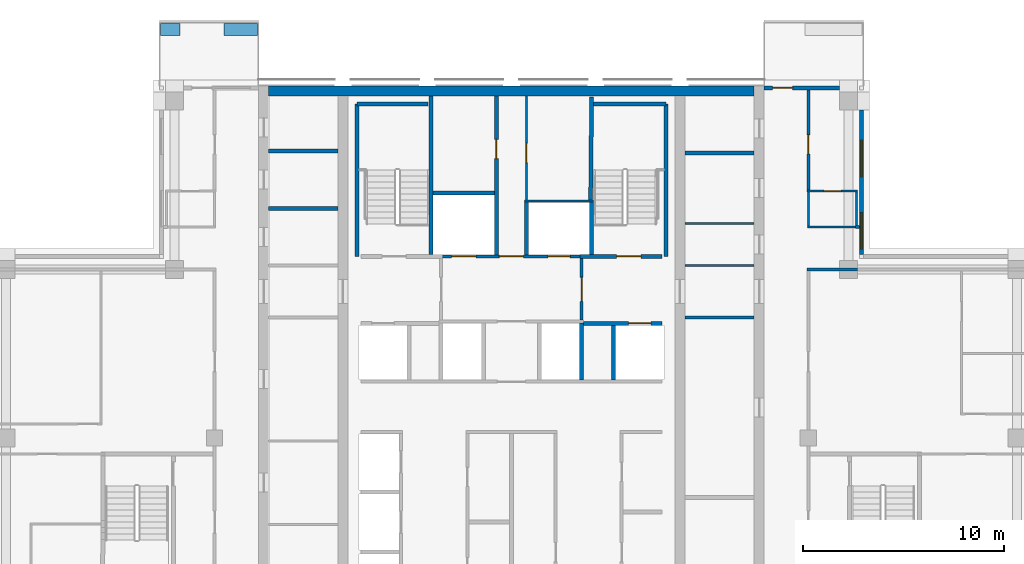
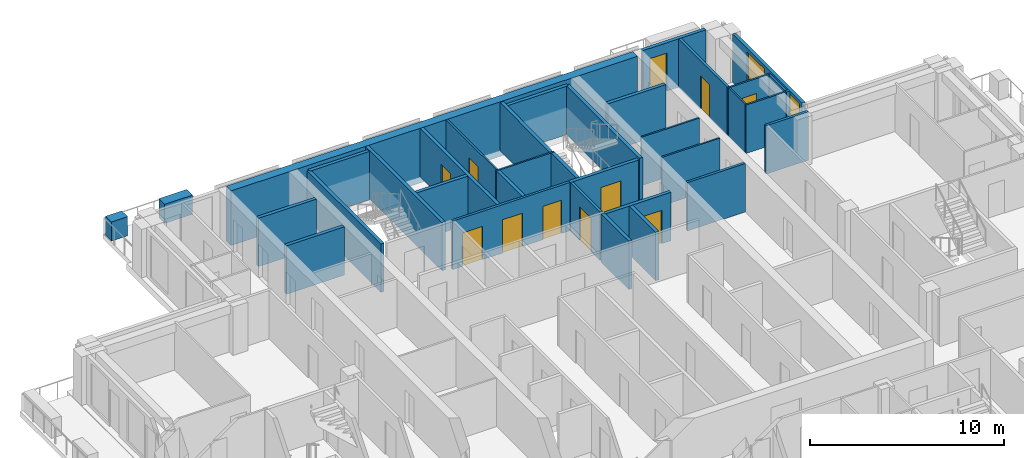
# One storey, part 11 of 15: 36 walls, 11 doors, 2 windows, 13 openings.
"""IFC4 building model written with IfcOpenShell, lengths in metres."""

from ifc_helpers import new_model, si_unit, direction, frame, frame_2d, origin, place, context, subcontext, project, spatial, rectangle, extrude, material, layer, layer_set, type_object, element, fill, save


model = new_model("IFC4")

# Units and contexts
model_context = context("Model", 3, precision=1e-05, world=origin(), true_north=direction((0.0, 1.0)))
body_context = subcontext(model_context, "Body", "Model", "MODEL_VIEW")
ifc_project = project(units=[si_unit("LENGTHUNIT", "METRE"), si_unit("AREAUNIT", "SQUARE_METRE"), si_unit("VOLUMEUNIT", "CUBIC_METRE"), si_unit("PLANEANGLEUNIT", "RADIAN"), si_unit("MASSUNIT", "GRAM", prefix="KILO")], contexts=[model_context])

# Site, building, storey
site_placement = place(None, origin())
site = spatial("IfcSite", under=ifc_project, at=site_placement, CompositionType="ELEMENT")
building_placement = place(site_placement, origin())
building = spatial("IfcBuilding", under=site, at=building_placement, Name="Vermilion Ogive Tower", CompositionType="ELEMENT")
storey_placement = place(building_placement, frame((0.0, 0.0, 237.25)))
storey = spatial("IfcBuildingStorey", under=building, at=storey_placement, Name="L62", CompositionType="ELEMENT", Elevation=237.25)

# Walls
ifc_material_1 = material(Name="Concrete B60", Category="concrete")
ifc_layer_1 = layer(ifc_material_1, 0.5)
ifc_layer_set_1 = layer_set([ifc_layer_1], Name="Core wall 500 B60")
wall_type_1 = type_object("IfcWallType", Name="Core wall 500 B60", PredefinedType="SHEAR", material=ifc_layer_set_1)
wall_1_placement = place(storey_placement, frame((-12.10009765625, 21.5, -0.39990234375), z_axis=(0.0, 0.0, 1.0), x_axis=(1.0, 0.0, 0.0)))
element("IfcWall", 1, at=wall_1_placement, inside=storey, type_object=wall_type_1, Name="L62-CORE-N", PredefinedType="SHEAR", context=body_context, shape_type="SweptSolid", body=[
    extrude(rectangle(XDim=24.2001953125, YDim=0.5, at=frame_2d((12.10009765625, 0.0))), origin(), (0.0, 0.0, 1.0), 3.449951171875),
])
ifc_material_2 = material(Name="Gypsum board partition on steel studs", Category="steel")
ifc_layer_2 = layer(ifc_material_2, 0.10009765625)
ifc_layer_set_2 = layer_set([ifc_layer_2], Name="Partition 100 bath")
wall_type_2 = type_object("IfcWallType", Name="Partition 100 bath", PredefinedType="PARTITIONING", material=ifc_layer_set_2)
wall_2_placement = place(storey_placement, frame((14.75, 14.699951171875, 0.0), z_axis=(0.0, 0.0, 1.0), x_axis=(1.0, 0.0, 0.0)))
element("IfcWall", 2, at=wall_2_placement, inside=storey, type_object=wall_type_2, Name="L62-W-W036", PredefinedType="PARTITIONING", context=body_context, shape_type="SweptSolid", body=[
    extrude(rectangle(XDim=2.5, YDim=0.10009765625, at=frame_2d((1.25, 0.0))), origin(), (0.0, 0.0, 1.0), 3.050048828125),
])

# Wall, opening, door
wall_3_placement = place(storey_placement, frame((14.72509765625, 16.5, 0.0), z_axis=(0.0, 0.0, 1.0), x_axis=(1.0, 0.0, 0.0)))
wall_3 = element("IfcWall", 3, at=wall_3_placement, inside=storey, type_object=wall_type_2, Name="L62-W-W039", PredefinedType="PARTITIONING", context=body_context, shape_type="SweptSolid", body=[
    extrude(rectangle(XDim=2.52490234375, YDim=0.10009765625, at=frame_2d((1.262451171875, 0.0))), origin(), (0.0, 0.0, 1.0), 3.050048828125),
])
opening_1_placement = place(wall_3_placement, frame((0.849853515625, 0.0, 0.0)))
opening_1 = element("IfcOpeningElement", 4, at=opening_1_placement, cuts=wall_3, Name="Opening D5G2022", PredefinedType="OPENING", context=body_context, shape_type="SweptSolid", body=[
    extrude(rectangle(XDim=0.85009765625, YDim=2.10009765625, at=frame_2d((0.425048828125, 1.050048828125))), frame((0.0, 0.06005859375, 0.0), z_axis=(0.0, -1.0, 0.0), x_axis=(1.0, 0.0, 0.0)), (0.0, 0.0, 1.0), 0.1201171875),
])
ifc_material_3 = material(Name="Timber door leaf", Category="wood")
door_type_1 = type_object("IfcDoorType", Name="Bath door 850 x 2100 FD30", OperationType="SINGLE_SWING_LEFT", PredefinedType="DOOR", material=ifc_material_3)
door_1_placement = place(opening_1_placement, origin())
door_1 = element("IfcDoor", 5, at=door_1_placement, inside=storey, type_object=door_type_1, Name="L62-D-D022", OperationType="SINGLE_SWING_RIGHT", OverallHeight=2.10009765625, OverallWidth=0.85009765625, PredefinedType="DOOR", context=body_context, shape_type="SweptSolid", body=[
    extrude(rectangle(XDim=0.85009765625, YDim=2.10009765625, at=frame_2d((0.425048828125, 1.050048828125))), frame((0.0, 0.02490234375, 0.0), z_axis=(0.0, -1.0, 0.0), x_axis=(1.0, 0.0, 0.0)), (0.0, 0.0, 1.0), 0.050048828125),
])
fill(opening_1, door_1)

# Walls
wall_4_placement = place(storey_placement, frame((14.800048828125, 14.75, 0.0), z_axis=(0.0, 0.0, 1.0), x_axis=(0.0, 1.0, 0.0)))
element("IfcWall", 6, at=wall_4_placement, inside=storey, type_object=wall_type_2, Name="L62-W-W070", PredefinedType="PARTITIONING", context=body_context, shape_type="SweptSolid", body=[
    extrude(rectangle(XDim=1.699951171875, YDim=0.10009765625, at=frame_2d((0.85009765625, 0.0))), origin(), (0.0, 0.0, 1.0), 3.050048828125),
])
wall_5_placement = place(storey_placement, frame((17.199951171875, 14.77490234375, 0.0), z_axis=(0.0, 0.0, 1.0), x_axis=(0.0, 1.0, 0.0)))
element("IfcWall", 7, at=wall_5_placement, inside=storey, type_object=wall_type_2, Name="L62-W-W073", PredefinedType="PARTITIONING", context=body_context, shape_type="SweptSolid", body=[
    extrude(rectangle(XDim=1.675048828125, YDim=0.10009765625, at=frame_2d((0.83740234375, 0.0))), origin(), (0.0, 0.0, 1.0), 3.050048828125),
])
wall_6_placement = place(storey_placement, frame((0.64990234375, 16.0, 0.0), z_axis=(0.0, 0.0, 1.0), x_axis=(1.0, 0.0, 0.0)))
element("IfcWall", 8, at=wall_6_placement, inside=storey, type_object=wall_type_2, Name="L62-CK-W-W018", PredefinedType="PARTITIONING", context=body_context, shape_type="SweptSolid", body=[
    extrude(rectangle(XDim=3.4501953125, YDim=0.10009765625, at=frame_2d((1.72509765625, 0.0))), origin(), (0.0, 0.0, 1.0), 3.050048828125),
])

# Wall, opening, door
wall_7_placement = place(storey_placement, frame((0.75, 16.050048828125, 0.0), z_axis=(0.0, 0.0, 1.0), x_axis=(0.0, 1.0, 0.0)))
wall_7 = element("IfcWall", 9, at=wall_7_placement, inside=storey, type_object=wall_type_2, Name="L62-CK-W-W030", PredefinedType="PARTITIONING", context=body_context, shape_type="SweptSolid", body=[
    extrude(rectangle(XDim=5.198974609375, YDim=0.10009765625, at=frame_2d((2.599609375, 0.0))), origin(), (0.0, 0.0, 1.0), 3.050048828125),
])
opening_2_placement = place(wall_7_placement, frame((1.875, 0.0, 0.0)))
opening_2 = element("IfcOpeningElement", 10, at=opening_2_placement, cuts=wall_7, Name="Opening DAA573", PredefinedType="OPENING", context=body_context, shape_type="SweptSolid", body=[
    extrude(rectangle(XDim=0.949951171875, YDim=2.10009765625, at=frame_2d((0.47509765625, 1.050048828125))), frame((0.0, 0.06005859375, 0.0), z_axis=(0.0, -1.0, 0.0), x_axis=(1.0, 0.0, 0.0)), (0.0, 0.0, 1.0), 0.1201171875),
])
ifc_material_4 = material(Name="Timber door leaf", Category="wood")
door_type_2 = type_object("IfcDoorType", Name="Service door 950 x 2100 FD60", OperationType="SINGLE_SWING_LEFT", PredefinedType="DOOR", material=ifc_material_4)
door_2_placement = place(opening_2_placement, origin())
door_2 = element("IfcDoor", 11, at=door_2_placement, inside=storey, type_object=door_type_2, Name="L62-CK-D-D022", OperationType="SINGLE_SWING_LEFT", OverallHeight=2.10009765625, OverallWidth=0.949951171875, PredefinedType="DOOR", context=body_context, shape_type="SweptSolid", body=[
    extrude(rectangle(XDim=0.949951171875, YDim=2.10009765625, at=frame_2d((0.47509765625, 1.050048828125))), frame((0.0, 0.02490234375, 0.0), z_axis=(0.0, -1.0, 0.0), x_axis=(1.0, 0.0, 0.0)), (0.0, 0.0, 1.0), 0.050048828125),
])
fill(opening_2, door_2)

# Walls
for number, where, z_axis, x_axis, name in (
    (12, (8.65087890625, 12.800048828125, 0.0), (0.0, 0.0, 1.0), (1.0, 0.0, 0.0), "L62-CKE-W-W003"),
    (13, (8.65087890625, 14.89111328125, 0.0), (0.0, 0.0, 1.0), (1.0, 0.0, 0.0), "L62-CKE-W-W004"),
):
    element("IfcWall", number, at=place(storey_placement, frame(where, z_axis=z_axis, x_axis=x_axis)), inside=storey, type_object=wall_type_2, Name=name, PredefinedType="PARTITIONING", context=body_context, shape_type="SweptSolid", body=[
        extrude(rectangle(XDim=3.4482421875, YDim=0.10009765625, at=frame_2d((1.72412109375, 0.0))), origin(), (0.0, 0.0, 1.0), 3.050048828125),
    ])
ifc_material_5 = material(Name="Gypsum board partition on steel studs", Category="steel")
ifc_layer_3 = layer(ifc_material_5, 0.14990234375)
ifc_layer_set_3 = layer_set([ifc_layer_3], Name="Partition 150 corridor")
wall_type_3 = type_object("IfcWallType", Name="Partition 150 corridor", PredefinedType="PARTITIONING", material=ifc_layer_set_3)
wall_8_placement = place(storey_placement, frame((14.72509765625, 12.60009765625, 0.0), z_axis=(0.0, 0.0, 1.0), x_axis=(1.0, 0.0, 0.0)))
element("IfcWall", 14, at=wall_8_placement, inside=storey, type_object=wall_type_3, Name="L62-W-W033", PredefinedType="PARTITIONING", context=body_context, shape_type="SweptSolid", body=[
    extrude(rectangle(XDim=2.52490234375, YDim=0.14990234375, at=frame_2d((1.262451171875, 0.0))), origin(), (0.0, 0.0, 1.0), 3.050048828125),
])
wall_9_placement = place(storey_placement, frame((17.14990234375, 14.699951171875, 0.0), z_axis=(0.0, 0.0, 1.0), x_axis=(1.0, 0.0, 0.0)))
element("IfcWall", 15, at=wall_9_placement, inside=storey, type_object=wall_type_3, Name="L62-W-W037", PredefinedType="PARTITIONING", context=body_context, shape_type="SweptSolid", body=[
    extrude(rectangle(XDim=0.2001953125, YDim=0.14990234375, at=frame_2d((0.10009765625, 0.0))), origin(), (0.0, 0.0, 1.0), 3.050048828125),
])

# Wall, opening, door
wall_10_placement = place(storey_placement, frame((14.800048828125, 16.550048828125, 0.0), z_axis=(0.0, 0.0, 1.0), x_axis=(0.0, 1.0, 0.0)))
wall_10 = element("IfcWall", 16, at=wall_10_placement, inside=storey, type_object=wall_type_3, Name="L62-W-W071", PredefinedType="PARTITIONING", context=body_context, shape_type="SweptSolid", body=[
    extrude(rectangle(XDim=5.0, YDim=0.14990234375, at=frame_2d((2.5, 0.0))), origin(), (0.0, 0.0, 1.0), 3.050048828125),
])
opening_3_placement = place(wall_10_placement, frame((1.800048828125, 0.0, 0.0)))
opening_3 = element("IfcOpeningElement", 17, at=opening_3_placement, cuts=wall_10, Name="Opening D5G2021", PredefinedType="OPENING", context=body_context, shape_type="SweptSolid", body=[
    extrude(rectangle(XDim=0.949951171875, YDim=2.10009765625, at=frame_2d((0.47509765625, 1.050048828125))), frame((0.0, 0.0849609375, 0.0), z_axis=(0.0, -1.0, 0.0), x_axis=(1.0, 0.0, 0.0)), (0.0, 0.0, 1.0), 0.169921875),
])
ifc_material_6 = material(Name="Timber door leaf", Category="wood")
door_type_3 = type_object("IfcDoorType", Name="Unit door 950 x 2100 FD30S", OperationType="SINGLE_SWING_LEFT", PredefinedType="DOOR", material=ifc_material_6)
door_3_placement = place(opening_3_placement, origin())
door_3 = element("IfcDoor", 18, at=door_3_placement, inside=storey, type_object=door_type_3, Name="L62-D-D021", OperationType="SINGLE_SWING_LEFT", OverallHeight=2.10009765625, OverallWidth=0.949951171875, PredefinedType="DOOR", context=body_context, shape_type="SweptSolid", body=[
    extrude(rectangle(XDim=0.949951171875, YDim=2.10009765625, at=frame_2d((0.47509765625, 1.050048828125))), frame((0.0, 0.02490234375, 0.0), z_axis=(0.0, -1.0, 0.0), x_axis=(1.0, 0.0, 0.0)), (0.0, 0.0, 1.0), 0.050048828125),
])
fill(opening_3, door_3)

# Wall, openings, doors
wall_11_placement = place(storey_placement, frame((-3.574951171875, 13.25, 0.0), z_axis=(0.0, 0.0, 1.0), x_axis=(1.0, 0.0, 0.0)))
wall_11 = element("IfcWall", 19, at=wall_11_placement, inside=storey, type_object=wall_type_3, Name="L62-CK-W-W016", PredefinedType="PARTITIONING", context=body_context, shape_type="SweptSolid", body=[
    extrude(rectangle(XDim=7.14990234375, YDim=0.14990234375, at=frame_2d((3.574951171875, 0.0))), origin(), (0.0, 0.0, 1.0), 3.050048828125),
])
opening_4_placement = place(wall_11_placement, frame((0.599853515625, 0.0, 0.0)))
opening_4 = element("IfcOpeningElement", 20, at=opening_4_placement, cuts=wall_11, Name="Opening DAA584", PredefinedType="OPENING", context=body_context, shape_type="SweptSolid", body=[
    extrude(rectangle(XDim=1.199951171875, YDim=2.10009765625, at=frame_2d((0.60009765625, 1.050048828125))), frame((0.0, 0.0849609375, 0.0), z_axis=(0.0, -1.0, 0.0), x_axis=(1.0, 0.0, 0.0)), (0.0, 0.0, 1.0), 0.169921875),
])
opening_5_placement = place(wall_11_placement, frame((5.39990234375, 0.0, 0.0)))
opening_5 = element("IfcOpeningElement", 21, at=opening_5_placement, cuts=wall_11, Name="Opening DAA583", PredefinedType="OPENING", context=body_context, shape_type="SweptSolid", body=[
    extrude(rectangle(XDim=1.10009765625, YDim=2.10009765625, at=frame_2d((0.550048828125, 1.050048828125))), frame((0.0, 0.0849609375, 0.0), z_axis=(0.0, -1.0, 0.0), x_axis=(1.0, 0.0, 0.0)), (0.0, 0.0, 1.0), 0.169921875),
])
opening_6_placement = place(wall_11_placement, frame((2.974853515625, 0.0, 0.0)))
opening_6 = element("IfcOpeningElement", 22, at=opening_6_placement, cuts=wall_11, Name="Opening DAA565", PredefinedType="OPENING", context=body_context, shape_type="SweptSolid", body=[
    extrude(rectangle(XDim=1.199951171875, YDim=2.10009765625, at=frame_2d((0.60009765625, 1.050048828125))), frame((0.0, 0.0849609375, 0.0), z_axis=(0.0, -1.0, 0.0), x_axis=(1.0, 0.0, 0.0)), (0.0, 0.0, 1.0), 0.169921875),
])
ifc_material_7 = material(Name="Stainless steel", Category="steel")
door_type_4 = type_object("IfcDoorType", Name="Lift landing door 1100 x 2100", OperationType="SLIDING_TO_LEFT", PredefinedType="DOOR", material=ifc_material_7)
door_4_placement = place(opening_5_placement, origin())
door_4 = element("IfcDoor", 23, at=door_4_placement, inside=storey, type_object=door_type_4, Name="L62-CK-D-D019", OperationType="SLIDING_TO_LEFT", OverallHeight=2.10009765625, OverallWidth=1.10009765625, PredefinedType="DOOR", context=body_context, shape_type="SweptSolid", body=[
    extrude(rectangle(XDim=1.10009765625, YDim=2.10009765625, at=frame_2d((0.550048828125, 1.050048828125))), frame((0.0, 0.02490234375, 0.0), z_axis=(0.0, -1.0, 0.0), x_axis=(1.0, 0.0, 0.0)), (0.0, 0.0, 1.0), 0.050048828125),
])
fill(opening_5, door_4)
ifc_material_8 = material(Name="Stainless steel", Category="steel")
door_type_5 = type_object("IfcDoorType", Name="Lift landing door 1200 x 2100", OperationType="SLIDING_TO_LEFT", PredefinedType="DOOR", material=ifc_material_8)
door_5_placement = place(opening_4_placement, origin())
door_5 = element("IfcDoor", 24, at=door_5_placement, inside=storey, type_object=door_type_5, Name="L62-CK-D-D018", OperationType="SLIDING_TO_RIGHT", OverallHeight=2.10009765625, OverallWidth=1.199951171875, PredefinedType="DOOR", context=body_context, shape_type="SweptSolid", body=[
    extrude(rectangle(XDim=1.199951171875, YDim=2.10009765625, at=frame_2d((0.60009765625, 1.050048828125))), frame((0.0, 0.02490234375, 0.0), z_axis=(0.0, -1.0, 0.0), x_axis=(1.0, 0.0, 0.0)), (0.0, 0.0, 1.0), 0.050048828125),
])
fill(opening_4, door_5)
ifc_material_9 = material(Name="Timber door leaf", Category="wood")
door_type_6 = type_object("IfcDoorType", Name="Service door 1200 x 2100 FD60", OperationType="SINGLE_SWING_LEFT", PredefinedType="DOOR", material=ifc_material_9)
door_6_placement = place(opening_6_placement, origin())
door_6 = element("IfcDoor", 25, at=door_6_placement, inside=storey, type_object=door_type_6, Name="L62-CK-D-D020", OperationType="SINGLE_SWING_RIGHT", OverallHeight=2.10009765625, OverallWidth=1.199951171875, PredefinedType="DOOR", context=body_context, shape_type="SweptSolid", body=[
    extrude(rectangle(XDim=1.199951171875, YDim=2.10009765625, at=frame_2d((0.60009765625, 1.050048828125))), frame((0.0, 0.02490234375, 0.0), z_axis=(0.0, -1.0, 0.0), x_axis=(1.0, 0.0, 0.0)), (0.0, 0.0, 1.0), 0.050048828125),
])
fill(opening_6, door_6)

# Wall, opening, door
wall_12_placement = place(storey_placement, frame((3.5, 10.074951171875, 0.0), z_axis=(0.0, 0.0, 1.0), x_axis=(0.0, 1.0, 0.0)))
wall_12 = element("IfcWall", 26, at=wall_12_placement, inside=storey, type_object=wall_type_3, Name="L62-CK-W-W034", PredefinedType="PARTITIONING", context=body_context, shape_type="SweptSolid", body=[
    extrude(rectangle(XDim=3.074951171875, YDim=0.14990234375, at=frame_2d((1.53759765625, 0.0))), origin(), (0.0, 0.0, 1.0), 3.050048828125),
])
opening_7_placement = place(wall_12_placement, frame((0.925048828125, 0.0, 0.0)))
opening_7 = element("IfcOpeningElement", 27, at=opening_7_placement, cuts=wall_12, Name="Opening DAA562", PredefinedType="OPENING", context=body_context, shape_type="SweptSolid", body=[
    extrude(rectangle(XDim=1.199951171875, YDim=2.10009765625, at=frame_2d((0.60009765625, 1.050048828125))), frame((0.0, 0.0849609375, 0.0), z_axis=(0.0, -1.0, 0.0), x_axis=(1.0, 0.0, 0.0)), (0.0, 0.0, 1.0), 0.169921875),
])
ifc_material_10 = material(Name="Timber door leaf", Category="wood")
door_type_7 = type_object("IfcDoorType", Name="Lobby door 1200 x 2100 FD60S", OperationType="SINGLE_SWING_LEFT", PredefinedType="DOOR", material=ifc_material_10)
door_7_placement = place(opening_7_placement, origin())
door_7 = element("IfcDoor", 28, at=door_7_placement, inside=storey, type_object=door_type_7, Name="L62-CK-D-D024", OperationType="SINGLE_SWING_LEFT", OverallHeight=2.10009765625, OverallWidth=1.199951171875, PredefinedType="DOOR", context=body_context, shape_type="SweptSolid", body=[
    extrude(rectangle(XDim=1.199951171875, YDim=2.10009765625, at=frame_2d((0.60009765625, 1.050048828125))), frame((0.0, 0.02490234375, 0.0), z_axis=(0.0, -1.0, 0.0), x_axis=(1.0, 0.0, 0.0)), (0.0, 0.0, 1.0), 0.050048828125),
])
fill(opening_7, door_7)

# Wall
wall_13_placement = place(storey_placement, frame((8.65087890625, 10.199951171875, 0.0), z_axis=(0.0, 0.0, 1.0), x_axis=(1.0, 0.0, 0.0)))
element("IfcWall", 29, at=wall_13_placement, inside=storey, type_object=wall_type_3, Name="L62-CKE-W-W002", PredefinedType="PARTITIONING", context=body_context, shape_type="SweptSolid", body=[
    extrude(rectangle(XDim=3.4482421875, YDim=0.14990234375, at=frame_2d((1.72412109375, 0.0))), origin(), (0.0, 0.0, 1.0), 3.050048828125),
])

# Wall, opening, door
ifc_material_11 = material(Name="Gypsum board partition on steel studs", Category="steel")
ifc_layer_4 = layer(ifc_material_11, 0.199951171875)
ifc_layer_set_4 = layer_set([ifc_layer_4], Name="Partition 200 party")
wall_type_4 = type_object("IfcWallType", Name="Partition 200 party", PredefinedType="PARTITIONING", material=ifc_layer_set_4)
wall_14_placement = place(storey_placement, frame((3.60009765625, 9.89990234375, 0.0), z_axis=(0.0, 0.0, 1.0), x_axis=(1.0, 0.0, 0.0)))
wall_14 = element("IfcWall", 30, at=wall_14_placement, inside=storey, type_object=wall_type_4, Name="L62-CK-W-W013", PredefinedType="PARTITIONING", context=body_context, shape_type="SweptSolid", body=[
    extrude(rectangle(XDim=3.89990234375, YDim=0.199951171875, at=frame_2d((1.949951171875, 0.0))), origin(), (0.0, 0.0, 1.0), 3.050048828125),
])
opening_8_placement = place(wall_14_placement, frame((2.25, 0.0, 0.0)))
opening_8 = element("IfcOpeningElement", 31, at=opening_8_placement, cuts=wall_14, Name="Opening DAA582", PredefinedType="OPENING", context=body_context, shape_type="SweptSolid", body=[
    extrude(rectangle(XDim=1.10009765625, YDim=2.10009765625, at=frame_2d((0.550048828125, 1.050048828125))), frame((0.0, 0.10986328125, 0.0), z_axis=(0.0, -1.0, 0.0), x_axis=(1.0, 0.0, 0.0)), (0.0, 0.0, 1.0), 0.219970703125),
])
door_8_placement = place(opening_8_placement, origin())
door_8 = element("IfcDoor", 32, at=door_8_placement, inside=storey, type_object=door_type_4, Name="L62-CK-D-D015", OperationType="SLIDING_TO_LEFT", OverallHeight=2.10009765625, OverallWidth=1.10009765625, PredefinedType="DOOR", context=body_context, shape_type="SweptSolid", body=[
    extrude(rectangle(XDim=1.10009765625, YDim=2.10009765625, at=frame_2d((0.550048828125, 1.050048828125))), frame((0.0, 0.02490234375, 0.0), z_axis=(0.0, -1.0, 0.0), x_axis=(1.0, 0.0, 0.0)), (0.0, 0.0, 1.0), 0.050048828125),
])
fill(opening_8, door_8)

# Wall
wall_15_placement = place(storey_placement, frame((-3.89990234375, 16.39990234375, 0.0), z_axis=(0.0, 0.0, 1.0), x_axis=(1.0, 0.0, 0.0)))
element("IfcWall", 33, at=wall_15_placement, inside=storey, type_object=wall_type_4, Name="L62-CK-W-W019", PredefinedType="PARTITIONING", context=body_context, shape_type="SweptSolid", body=[
    extrude(rectangle(XDim=3.0498046875, YDim=0.199951171875, at=frame_2d((1.52490234375, 0.0))), origin(), (0.0, 0.0, 1.0), 3.050048828125),
])

# Wall, opening, door
wall_16_placement = place(storey_placement, frame((-0.75, 13.324951171875, 0.0), z_axis=(0.0, 0.0, 1.0), x_axis=(0.0, 1.0, 0.0)))
wall_16 = element("IfcWall", 34, at=wall_16_placement, inside=storey, type_object=wall_type_4, Name="L62-CK-W-W027", PredefinedType="PARTITIONING", context=body_context, shape_type="SweptSolid", body=[
    extrude(rectangle(XDim=7.924072265625, YDim=0.199951171875, at=frame_2d((3.9619140625, 0.0))), origin(), (0.0, 0.0, 1.0), 3.050048828125),
])
opening_9_placement = place(wall_16_placement, frame((4.800048828125, 0.0, 0.0)))
opening_9 = element("IfcOpeningElement", 35, at=opening_9_placement, cuts=wall_16, Name="Opening DAA572", PredefinedType="OPENING", context=body_context, shape_type="SweptSolid", body=[
    extrude(rectangle(XDim=0.949951171875, YDim=2.10009765625, at=frame_2d((0.47509765625, 1.050048828125))), frame((0.0, 0.10986328125, 0.0), z_axis=(0.0, -1.0, 0.0), x_axis=(1.0, 0.0, 0.0)), (0.0, 0.0, 1.0), 0.219970703125),
])
door_9_placement = place(opening_9_placement, origin())
door_9 = element("IfcDoor", 36, at=door_9_placement, inside=storey, type_object=door_type_2, Name="L62-CK-D-D021", OperationType="SINGLE_SWING_RIGHT", OverallHeight=2.10009765625, OverallWidth=0.949951171875, PredefinedType="DOOR", context=body_context, shape_type="SweptSolid", body=[
    extrude(rectangle(XDim=0.949951171875, YDim=2.10009765625, at=frame_2d((0.47509765625, 1.050048828125))), frame((0.0, 0.02490234375, 0.0), z_axis=(0.0, -1.0, 0.0), x_axis=(1.0, 0.0, 0.0)), (0.0, 0.0, 1.0), 0.050048828125),
])
fill(opening_9, door_9)

# Walls
wall_17_placement = place(storey_placement, frame((0.75, 13.324951171875, 0.0), z_axis=(0.0, 0.0, 1.0), x_axis=(0.0, 1.0, 0.0)))
element("IfcWall", 37, at=wall_17_placement, inside=storey, type_object=wall_type_4, Name="L62-CK-W-W029", PredefinedType="PARTITIONING", context=body_context, shape_type="SweptSolid", body=[
    extrude(rectangle(XDim=2.625, YDim=0.199951171875, at=frame_2d((1.3125, 0.0))), origin(), (0.0, 0.0, 1.0), 3.050048828125),
])
wall_18_placement = place(storey_placement, frame((3.5, 7.074951171875, 0.0), z_axis=(0.0, 0.0, 1.0), x_axis=(0.0, 1.0, 0.0)))
element("IfcWall", 38, at=wall_18_placement, inside=storey, type_object=wall_type_4, Name="L62-CK-W-W033", PredefinedType="PARTITIONING", context=body_context, shape_type="SweptSolid", body=[
    extrude(rectangle(XDim=2.85009765625, YDim=0.199951171875, at=frame_2d((1.425048828125, 0.0))), origin(), (0.0, 0.0, 1.0), 3.050048828125),
])
wall_19_placement = place(storey_placement, frame((5.10009765625, 7.074951171875, 0.0), z_axis=(0.0, 0.0, 1.0), x_axis=(0.0, 1.0, 0.0)))
element("IfcWall", 39, at=wall_19_placement, inside=storey, type_object=wall_type_4, Name="L62-CK-W-W037", PredefinedType="PARTITIONING", context=body_context, shape_type="SweptSolid", body=[
    extrude(rectangle(XDim=2.72509765625, YDim=0.199951171875, at=frame_2d((1.362548828125, 0.0))), origin(), (0.0, 0.0, 1.0), 3.050048828125),
])
for number, where, z_axis, x_axis, name in (
    (40, (-12.09912109375, 15.636962890625, 0.0), (0.0, 0.0, 1.0), (1.0, 0.0, 0.0), "L62-CKW-W-W005"),
    (41, (-12.09912109375, 18.509033203125, 0.0), (0.0, 0.0, 1.0), (1.0, 0.0, 0.0), "L62-CKW-W-W006"),
    (42, (8.65087890625, 18.410888671875, 0.0), (0.0, 0.0, 1.0), (1.0, 0.0, 0.0), "L62-CKE-W-W005"),
):
    element("IfcWall", number, at=place(storey_placement, frame(where, z_axis=z_axis, x_axis=x_axis)), inside=storey, type_object=wall_type_4, Name=name, PredefinedType="PARTITIONING", context=body_context, shape_type="SweptSolid", body=[
        extrude(rectangle(XDim=3.4482421875, YDim=0.199951171875, at=frame_2d((1.72412109375, 0.0))), origin(), (0.0, 0.0, 1.0), 3.050048828125),
    ])

# Wall, opening, door
ifc_material_12 = material(Name="Concrete B60", Category="concrete")
ifc_layer_5 = layer(ifc_material_12, 0.199951171875)
ifc_layer_set_5 = layer_set([ifc_layer_5], Name="Stair shaft wall 200 Concrete B60")
wall_type_5 = type_object("IfcWallType", Name="Stair shaft wall 200 Concrete B60", PredefinedType="SOLIDWALL", material=ifc_layer_set_5)
wall_20_placement = place(storey_placement, frame((3.425048828125, 13.25, 0.0), z_axis=(0.0, 0.0, 1.0), x_axis=(1.0, 0.0, 0.0)))
wall_20 = element("IfcWall", 43, at=wall_20_placement, inside=storey, type_object=wall_type_5, Name="L62-CK-W-W017", PredefinedType="SOLIDWALL", context=body_context, shape_type="SweptSolid", body=[
    extrude(rectangle(XDim=4.074951171875, YDim=0.199951171875, at=frame_2d((2.03759765625, 0.0))), origin(), (0.0, 0.0, 1.0), 3.050048828125),
])
opening_10_placement = place(wall_20_placement, frame((1.824951171875, 0.0, 0.0)))
opening_10 = element("IfcOpeningElement", 44, at=opening_10_placement, cuts=wall_20, Name="Opening DAA575", PredefinedType="OPENING", context=body_context, shape_type="SweptSolid", body=[
    extrude(rectangle(XDim=1.199951171875, YDim=2.10009765625, at=frame_2d((0.60009765625, 1.050048828125))), frame((0.0, 0.10986328125, 0.0), z_axis=(0.0, -1.0, 0.0), x_axis=(1.0, 0.0, 0.0)), (0.0, 0.0, 1.0), 0.219970703125),
])
ifc_material_13 = material(Name="Timber door leaf", Category="wood")
door_type_8 = type_object("IfcDoorType", Name="Stair door 1200 x 2100 FD60S", OperationType="SINGLE_SWING_LEFT", PredefinedType="DOOR", material=ifc_material_13)
door_10_placement = place(opening_10_placement, origin())
door_10 = element("IfcDoor", 45, at=door_10_placement, inside=storey, type_object=door_type_8, Name="L62-CK-D-D014", OperationType="SINGLE_SWING_RIGHT", OverallHeight=2.10009765625, OverallWidth=1.199951171875, PredefinedType="DOOR", context=body_context, shape_type="SweptSolid", body=[
    extrude(rectangle(XDim=1.199951171875, YDim=2.10009765625, at=frame_2d((0.60009765625, 1.050048828125))), frame((0.0, 0.02490234375, 0.0), z_axis=(0.0, -1.0, 0.0), x_axis=(1.0, 0.0, 0.0)), (0.0, 0.0, 1.0), 0.050048828125),
])
fill(opening_10, door_10)

# Walls
wall_21_placement = place(storey_placement, frame((-4.0, 13.35009765625, 0.0), z_axis=(0.0, 0.0, 1.0), x_axis=(0.0, 1.0, 0.0)))
element("IfcWall", 46, at=wall_21_placement, inside=storey, type_object=wall_type_5, Name="L62-CK-W-W022", PredefinedType="SOLIDWALL", context=body_context, shape_type="SweptSolid", body=[
    extrude(rectangle(XDim=7.89892578125, YDim=0.199951171875, at=frame_2d((3.949462890625, 0.0))), origin(), (0.0, 0.0, 1.0), 3.050048828125),
])
wall_22_placement = place(storey_placement, frame((4.0, 13.35009765625, 0.0), z_axis=(0.0, 0.0, 1.0), x_axis=(0.0, 1.0, 0.0)))
element("IfcWall", 47, at=wall_22_placement, inside=storey, type_object=wall_type_5, Name="L62-CK-W-W035", PredefinedType="SOLIDWALL", context=body_context, shape_type="SweptSolid", body=[
    extrude(rectangle(XDim=2.599853515625, YDim=0.199951171875, at=frame_2d((1.2998046875, 0.0))), origin(), (0.0, 0.0, 1.0), 3.050048828125),
])
wall_23_placement = place(storey_placement, frame((3.949951171875, 16.050048828125, 0.0), z_axis=(0.0, 0.0, 1.0), x_axis=(0.009719787395, 0.999952761751, 0.0)))
element("IfcWall", 48, at=wall_23_placement, inside=storey, type_object=wall_type_5, Name="L62-CK-W-W036", PredefinedType="SOLIDWALL", context=body_context, shape_type="SweptSolid", body=[
    extrude(rectangle(XDim=5.149169921875, YDim=0.199951171875, at=frame_2d((2.57470703125, 0.0))), origin(), (0.0, 0.0, 1.0), 3.050048828125),
])
wall_24_placement = place(storey_placement, frame((-7.699951171875, 13.25, 0.0), z_axis=(0.0, 0.0, 1.0), x_axis=(0.0, 1.0, 0.0)))
element("IfcWall", 49, at=wall_24_placement, inside=storey, type_object=wall_type_5, Name="L62-SW-R017-W1", PredefinedType="SOLIDWALL", context=body_context, shape_type="SweptSolid", body=[
    extrude(rectangle(XDim=7.60009765625, YDim=0.199951171875, at=frame_2d((3.800048828125, 0.0))), origin(), (0.0, 0.0, 1.0), 3.050048828125),
])
wall_25_placement = place(storey_placement, frame((-7.699951171875, 20.85009765625, 0.0), z_axis=(0.0, 0.0, 1.0), x_axis=(1.0, 0.0, 0.0)))
element("IfcWall", 50, at=wall_25_placement, inside=storey, type_object=wall_type_5, Name="L62-SW-R017-N1", PredefinedType="SOLIDWALL", context=body_context, shape_type="SweptSolid", body=[
    extrude(rectangle(XDim=3.550048828125, YDim=0.199951171875, at=frame_2d((1.77490234375, 0.0))), origin(), (0.0, 0.0, 1.0), 3.050048828125),
])
wall_26_placement = place(storey_placement, frame((7.699951171875, 13.25, 0.0), z_axis=(0.0, 0.0, 1.0), x_axis=(0.0, 1.0, 0.0)))
element("IfcWall", 51, at=wall_26_placement, inside=storey, type_object=wall_type_5, Name="L62-SW-R021-E1", PredefinedType="SOLIDWALL", context=body_context, shape_type="SweptSolid", body=[
    extrude(rectangle(XDim=7.60009765625, YDim=0.199951171875, at=frame_2d((3.800048828125, 0.0))), origin(), (0.0, 0.0, 1.0), 3.050048828125),
])
wall_27_placement = place(storey_placement, frame((4.10009765625, 20.85009765625, 0.0), z_axis=(0.0, 0.0, 1.0), x_axis=(1.0, 0.0, 0.0)))
element("IfcWall", 52, at=wall_27_placement, inside=storey, type_object=wall_type_5, Name="L62-SW-R021-N1", PredefinedType="SOLIDWALL", context=body_context, shape_type="SweptSolid", body=[
    extrude(rectangle(XDim=3.599853515625, YDim=0.199951171875, at=frame_2d((1.7998046875, 0.0))), origin(), (0.0, 0.0, 1.0), 3.050048828125),
])
ifc_material_14 = material(Name="Concrete B40", Category="concrete")
ifc_layer_6 = layer(ifc_material_14, 0.60009765625)
ifc_layer_set_6 = layer_set([ifc_layer_6], Name="Structural planter")
wall_type_6 = type_object("IfcWallType", Name="Structural planter", PredefinedType="USERDEFINED", material=ifc_layer_set_6)
wall_28_placement = place(storey_placement, frame((-12.659912109375, 24.550048828125, -0.0400390625), z_axis=(0.0, 0.0, 1.0), x_axis=(-1.0, 0.0, 0.0)))
element("IfcWall", 53, at=wall_28_placement, inside=storey, type_object=wall_type_6, Name="Planter N201A1", ObjectType="PLANTER", PredefinedType="USERDEFINED", context=body_context, shape_type="SweptSolid", body=[
    extrude(rectangle(XDim=1.6650390625, YDim=0.60009765625, at=frame_2d((0.83251953125, 0.0))), origin(), (0.0, 0.0, 1.0), 1.199951171875),
])
wall_29_placement = place(storey_placement, frame((-16.52490234375, 24.550048828125, -0.0400390625), z_axis=(0.0, 0.0, 1.0), x_axis=(-1.0, 0.0, 0.0)))
element("IfcWall", 54, at=wall_29_placement, inside=storey, type_object=wall_type_6, Name="Planter N201A2", ObjectType="PLANTER", PredefinedType="USERDEFINED", context=body_context, shape_type="SweptSolid", body=[
    extrude(rectangle(XDim=0.965087890625, YDim=0.60009765625, at=frame_2d((0.482421875, 0.0))), origin(), (0.0, 0.0, 1.0), 1.199951171875),
])

# Wall, openings, windows
ifc_material_15 = material(Name="Aluminium window wall framing", Category="aluminium")
ifc_layer_7 = layer(ifc_material_15, 0.199951171875)
ifc_layer_set_7 = layer_set([ifc_layer_7], Name="Window wall")
wall_type_7 = type_object("IfcWallType", Name="Window wall", PredefinedType="STANDARD", material=ifc_layer_set_7)
wall_30_placement = place(storey_placement, frame((17.449951171875, 13.35009765625, 0.0), z_axis=(0.0, 0.0, 1.0), x_axis=(0.0, 1.0, 0.0)))
wall_30 = element("IfcWall", 55, at=wall_30_placement, inside=storey, type_object=wall_type_7, Name="Window wall X41", PredefinedType="STANDARD", context=body_context, shape_type="SweptSolid", body=[
    extrude(rectangle(XDim=7.199951171875, YDim=0.199951171875, at=frame_2d((3.60009765625, 0.0))), origin(), (0.0, 0.0, 1.0), 3.050048828125),
])
opening_11_placement = place(wall_30_placement, frame((0.27490234375, 0.0, 0.199951171875)))
opening_11 = element("IfcOpeningElement", 56, at=opening_11_placement, cuts=wall_30, Name="Opening W1-X403", PredefinedType="OPENING", context=body_context, shape_type="SweptSolid", body=[
    extrude(rectangle(XDim=1.800048828125, YDim=2.64990234375, at=frame_2d((0.89990234375, 1.324951171875))), frame((0.0, 0.10986328125, 0.0), z_axis=(0.0, -1.0, 0.0), x_axis=(1.0, 0.0, 0.0)), (0.0, 0.0, 1.0), 0.219970703125),
])
opening_12_placement = place(wall_30_placement, frame((3.875, 0.0, 0.199951171875)))
opening_12 = element("IfcOpeningElement", 57, at=opening_12_placement, cuts=wall_30, Name="Opening W1-X404", PredefinedType="OPENING", context=body_context, shape_type="SweptSolid", body=[
    extrude(rectangle(XDim=1.800048828125, YDim=2.64990234375, at=frame_2d((0.89990234375, 1.324951171875))), frame((0.0, 0.10986328125, 0.0), z_axis=(0.0, -1.0, 0.0), x_axis=(1.0, 0.0, 0.0)), (0.0, 0.0, 1.0), 0.219970703125),
])
ifc_material_16 = material(Name="Aluminium framed double glazing", Category="aluminium")
window_type = type_object("IfcWindowType", Name="Guest window W1", PartitioningType="SINGLE_PANEL", PredefinedType="WINDOW", material=ifc_material_16)
window_1_placement = place(opening_11_placement, origin())
window_1 = element("IfcWindow", 58, at=window_1_placement, inside=storey, type_object=window_type, Name="Window X403", OverallHeight=2.64990234375, OverallWidth=1.800048828125, PartitioningType="SINGLE_PANEL", PredefinedType="WINDOW", context=body_context, shape_type="SweptSolid", body=[
    extrude(rectangle(XDim=1.800048828125, YDim=2.64990234375, at=frame_2d((0.89990234375, 1.324951171875))), frame((0.0, 0.030029296875, 0.0), z_axis=(0.0, -1.0, 0.0), x_axis=(1.0, 0.0, 0.0)), (0.0, 0.0, 1.0), 0.06005859375),
])
fill(opening_11, window_1)
window_2_placement = place(opening_12_placement, origin())
window_2 = element("IfcWindow", 59, at=window_2_placement, inside=storey, type_object=window_type, Name="Window X404", OverallHeight=2.64990234375, OverallWidth=1.800048828125, PartitioningType="SINGLE_PANEL", PredefinedType="WINDOW", context=body_context, shape_type="SweptSolid", body=[
    extrude(rectangle(XDim=1.800048828125, YDim=2.64990234375, at=frame_2d((0.89990234375, 1.324951171875))), frame((0.0, 0.030029296875, 0.0), z_axis=(0.0, -1.0, 0.0), x_axis=(1.0, 0.0, 0.0)), (0.0, 0.0, 1.0), 0.06005859375),
])
fill(opening_12, window_2)

# Wall, opening, door
wall_31_placement = place(storey_placement, frame((16.35009765625, 21.64990234375, 0.0), z_axis=(0.0, 0.0, 1.0), x_axis=(-1.0, 0.0, 0.0)))
wall_31 = element("IfcWall", 60, at=wall_31_placement, inside=storey, type_object=wall_type_7, Name="Window wall N11", PredefinedType="STANDARD", context=body_context, shape_type="SweptSolid", body=[
    extrude(rectangle(XDim=3.75, YDim=0.199951171875, at=frame_2d((1.875, 0.0))), origin(), (0.0, 0.0, 1.0), 3.050048828125),
])
opening_13_placement = place(wall_31_placement, frame((2.324951171875, 0.0, 0.0)))
opening_13 = element("IfcOpeningElement", 61, at=opening_13_placement, cuts=wall_31, Name="Opening D1-N103", PredefinedType="OPENING", context=body_context, shape_type="SweptSolid", body=[
    extrude(rectangle(XDim=1.0, YDim=2.39990234375, at=frame_2d((0.5, 1.199951171875))), frame((0.0, 0.10986328125, 0.0), z_axis=(0.0, -1.0, 0.0), x_axis=(1.0, 0.0, 0.0)), (0.0, 0.0, 1.0), 0.219970703125),
])
ifc_material_17 = material(Name="Aluminium framed glazed door", Category="aluminium")
door_type_9 = type_object("IfcDoorType", Name="Balcony door D1", OperationType="SINGLE_SWING_LEFT", PredefinedType="DOOR", material=ifc_material_17)
door_11_placement = place(opening_13_placement, origin())
door_11 = element("IfcDoor", 62, at=door_11_placement, inside=storey, type_object=door_type_9, Name="Balcony door N103", OperationType="SINGLE_SWING_LEFT", OverallHeight=2.39990234375, OverallWidth=1.0, PredefinedType="DOOR", context=body_context, shape_type="SweptSolid", body=[
    extrude(rectangle(XDim=1.0, YDim=2.39990234375, at=frame_2d((0.5, 1.199951171875))), frame((0.0, 0.02490234375, 0.0), z_axis=(0.0, -1.0, 0.0), x_axis=(1.0, 0.0, 0.0)), (0.0, 0.0, 1.0), 0.050048828125),
])
fill(opening_13, door_11)

save(model, "model.ifc")
